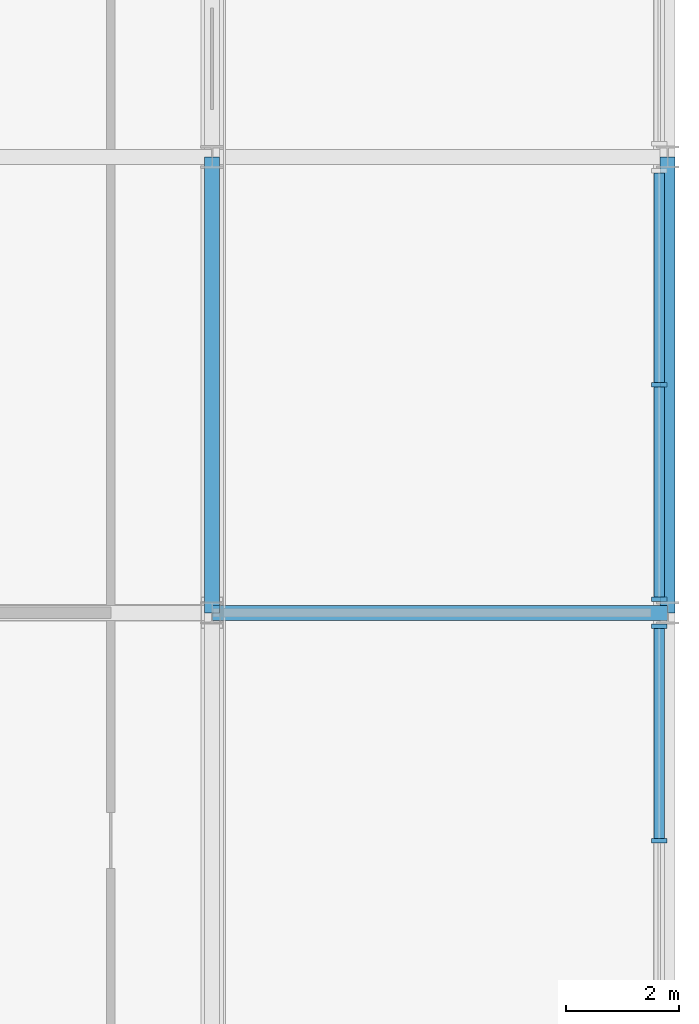
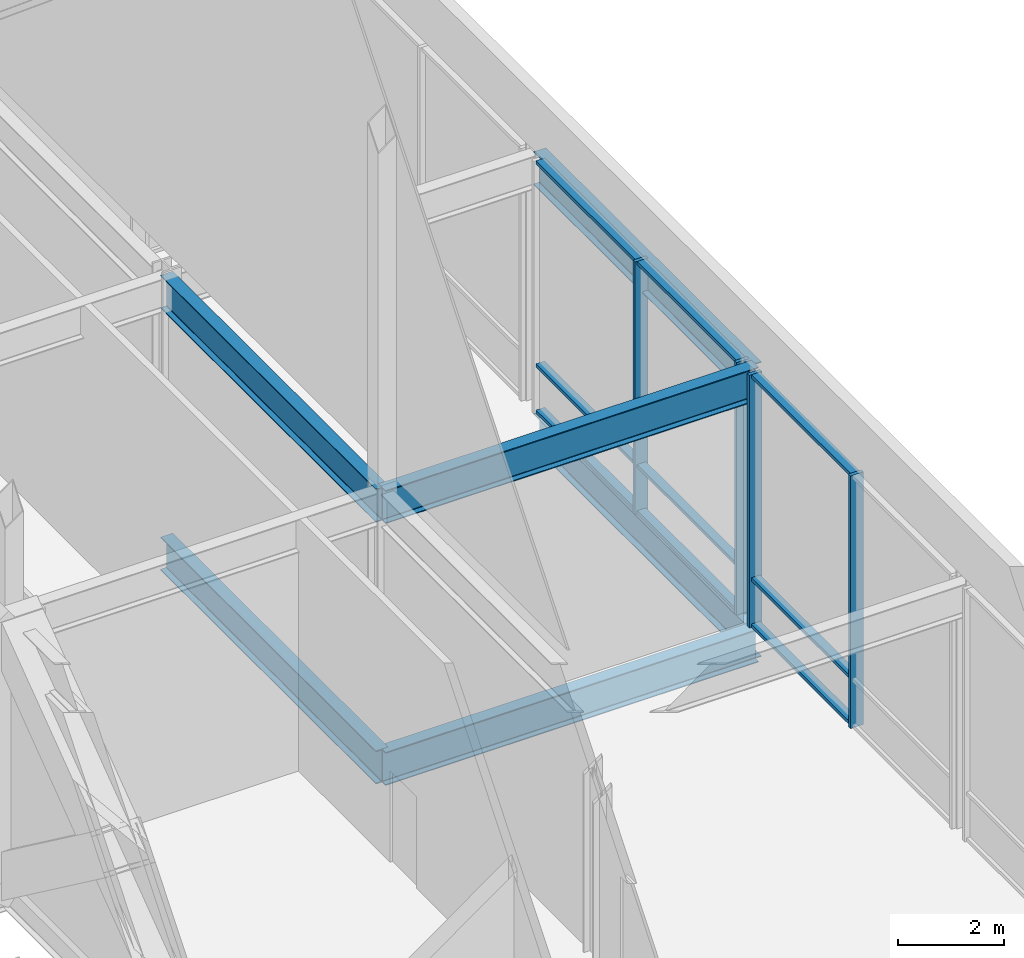
# One storey, part 9 of 22: 13 members, 6 beams, 2 elements without a shape of their own.
"""IFC4 building model written with IfcOpenShell, lengths in metres."""

import ifcopenshell
import ifcopenshell.guid

model = None  # the IFC model being written
_history = None  # IfcOwnerHistory: only IFC2X3 demands one
_inside = {}  # id of a spatial element -> (the spatial element, [elements in it])
_under = {}  # id of a project, library or spatial element -> (it, [spatial elements below it])
_declared = {}  # id of a project -> (the project, [libraries it declares])
_typed = {}  # id of a type object -> (the type object, [elements of that type])
_made_of = {}  # id of a material, layer set ... -> (it, [elements and type objects made of it])


def new_model(schema):
    """Start an empty IFC model of exactly this schema.

    Asked for "IFC4X3", IfcOpenShell would pick the latest addendum, in which some entities
    have other attributes; the version numbers below select the first issue.
    IFC2X3 requires an IfcOwnerHistory on every rooted entity: one is made here for all.
    """
    global model, _history
    if schema == "IFC4X3":
        model = ifcopenshell.file(schema_version=(4, 3, 0, 0))
    else:
        model = ifcopenshell.file(schema=schema)
    _inside.clear()
    _under.clear()
    _declared.clear()
    _typed.clear()
    _made_of.clear()
    _history = None
    if model.schema == "IFC2X3":
        org = make("IfcOrganization", Name="unknown")
        user = make(
            "IfcPersonAndOrganization",
            ThePerson=make("IfcPerson", FamilyName="unknown"),
            TheOrganization=org,
        )
        app = make(
            "IfcApplication",
            ApplicationDeveloper=org,
            Version="unknown",
            ApplicationFullName="unknown",
            ApplicationIdentifier="unknown",
        )
        _history = make(
            "IfcOwnerHistory",
            OwningUser=user,
            OwningApplication=app,
            ChangeAction="ADDED",
            CreationDate=0,
        )
    return model


def make(cls, **values):
    """One entity of the class cls with the attributes given. An attribute that is None is left unset."""
    return model.create_entity(
        cls, **{name: value for name, value in values.items() if value is not None}
    )


def rooted(cls, **values):
    """An entity with a GlobalId (a new one), such as an element, a storey or a relation."""
    return make(cls, GlobalId=ifcopenshell.guid.new(), OwnerHistory=_history, **values)


def si_unit(unit_type, name, prefix=None):
    """IfcSIUnit, for example si_unit("LENGTHUNIT", "METRE", prefix="MILLI")."""
    return make("IfcSIUnit", UnitType=unit_type, Prefix=prefix, Name=name)


def assignment(units):
    """IfcUnitAssignment: the units of a project."""
    return None if units is None else make("IfcUnitAssignment", Units=units)


def point(xyz):
    """IfcCartesianPoint."""
    return None if xyz is None else make("IfcCartesianPoint", Coordinates=xyz)


def direction(xyz):
    """IfcDirection."""
    return None if xyz is None else make("IfcDirection", DirectionRatios=xyz)


def frame(location, z_axis=None, x_axis=None):
    """IfcAxis2Placement3D, a coordinate frame: its origin and axes. An axis left out is left unset."""
    return make(
        "IfcAxis2Placement3D",
        Location=point(location),
        Axis=direction(z_axis),
        RefDirection=direction(x_axis),
    )


def frame_2d(location, x_axis=None):
    """IfcAxis2Placement2D, a coordinate frame in the plane: its origin and x axis."""
    return make(
        "IfcAxis2Placement2D", Location=point(location), RefDirection=direction(x_axis)
    )


def origin():
    """The frame at (0, 0, 0) with its axes left unset."""
    return frame((0.0, 0.0, 0.0))


def origin_2d():
    """The frame at (0, 0) in the plane with its x axis left unset."""
    return frame_2d((0.0, 0.0))


def place(relative_to, where):
    """IfcLocalPlacement: puts the frame where relative to a parent placement (None: the world)."""
    return make(
        "IfcLocalPlacement", PlacementRelTo=relative_to, RelativePlacement=where
    )


def context(
    kind, dimensions, precision=None, world=None, true_north=None, identifier=None
):
    """IfcGeometricRepresentationContext, for example the 3D "Model" context."""
    return make(
        "IfcGeometricRepresentationContext",
        ContextIdentifier=identifier,
        ContextType=kind,
        CoordinateSpaceDimension=dimensions,
        Precision=precision,
        WorldCoordinateSystem=world,
        TrueNorth=true_north,
    )


def subcontext(parent, identifier, kind, view, scale=None):
    """IfcGeometricRepresentationSubContext, for example "Body" below "Model"."""
    return make(
        "IfcGeometricRepresentationSubContext",
        ContextIdentifier=identifier,
        ContextType=kind,
        ParentContext=parent,
        TargetScale=scale,
        TargetView=view,
    )


def project(units=None, contexts=None):
    """IfcProject with its units and contexts."""
    return rooted(
        "IfcProject",
        Name="project",
        RepresentationContexts=contexts,
        UnitsInContext=assignment(units),
    )


def spatial(cls, under=None, at=None, **own):
    """A site, building, storey or space (cls), placed at a placement, below another one or the project."""
    s = rooted(cls, ObjectPlacement=at, **own)
    if under is not None:
        _under.setdefault(under.id(), (under, []))[1].append(s)
    return s


def profile(cls, at=None, kind="AREA", **sizes):
    """A parametric profile (cls). Its sizes go by their IFC names, for example OverallWidth=200.0."""
    return make(cls, ProfileType=kind, Position=at, **sizes)


def rectangle(**sizes):
    """IfcRectangleProfileDef."""
    return profile("IfcRectangleProfileDef", **sizes)


def i_section(**sizes):
    """IfcIShapeProfileDef."""
    return profile("IfcIShapeProfileDef", **sizes)


def extrude(swept, where, along, depth):
    """IfcExtrudedAreaSolid: the profile swept, set in the frame where, extruded along a direction by depth."""
    return make(
        "IfcExtrudedAreaSolid",
        SweptArea=swept,
        Position=where,
        ExtrudedDirection=direction(along),
        Depth=depth,
    )


def shape(context_of_items, identifier, shape_type, items):
    """IfcShapeRepresentation: the items that make up one representation, for example the "Body"."""
    return make(
        "IfcShapeRepresentation",
        ContextOfItems=context_of_items,
        RepresentationIdentifier=identifier,
        RepresentationType=shape_type,
        Items=items,
    )


def material(Name=None, Category=None):
    """IfcMaterial."""
    return make("IfcMaterial", Name=Name, Category=Category)


def material_profile(
    of_material, cross_section, Name=None, Category=None, Priority=None
):
    """IfcMaterialProfile: a cross section and its material."""
    return make(
        "IfcMaterialProfile",
        Name=Name,
        Material=of_material,
        Profile=cross_section,
        Priority=Priority,
        Category=Category,
    )


def profile_set(profiles, Name=None, composite=None):
    """IfcMaterialProfileSet."""
    return make(
        "IfcMaterialProfileSet",
        Name=Name,
        MaterialProfiles=profiles,
        CompositeProfile=composite,
    )


def made_of(thing, what):
    """Note that an element or type object is made of a material, layer set ...; save() writes the relation."""
    if what is not None:
        _made_of.setdefault(what.id(), (what, []))[1].append(thing)
    return thing


def type_object(cls, material=None, **own):
    """A type object (cls), such as IfcWallType, which elements share."""
    return made_of(rooted(cls, **own), material)


def element(
    cls,
    number,
    at=None,
    inside=None,
    cuts=None,
    type_object=None,
    material=None,
    context=None,
    identifier="Body",
    shape_type=None,
    held_by="IfcProductDefinitionShape",
    body=None,
    shapes=None,
    **own,
):
    """One element of the class cls, such as IfcWall. Its Tag is "e" and its number.

    at: its placement. inside: the storey or other place that contains it. cuts: it is an
    opening in that element (IfcRelVoidsElement). A single representation is given by context,
    identifier, shape_type and body (its items); several are given by shapes. held_by: the class
    of the entity that holds the representations. save() writes the other relations.
    """
    e = rooted(cls, Tag="e%d" % number, ObjectPlacement=at, **own)
    if body is not None:
        shapes = [shape(context, identifier, shape_type, body)]
    if shapes is not None:
        e.Representation = make(held_by, Representations=shapes)
    if inside is not None:
        _inside.setdefault(inside.id(), (inside, []))[1].append(e)
    if cuts is not None:
        rooted(
            "IfcRelVoidsElement", RelatingBuildingElement=cuts, RelatedOpeningElement=e
        )
    if type_object is not None:
        _typed.setdefault(type_object.id(), (type_object, []))[1].append(e)
    return made_of(e, material)


def aggregate(whole, parts):
    """IfcRelAggregates: a whole, such as a stair, and the parts it consists of."""
    return rooted("IfcRelAggregates", RelatingObject=whole, RelatedObjects=parts)


def save(model, path):
    """Write the relations noted so far, then the file.

    IfcRelAggregates (storeys below a building ...), IfcRelContainedInSpatialStructure (elements
    in a storey), IfcRelDefinesByType, IfcRelAssociatesMaterial and IfcRelDeclares: one each for
    every whole, place, type object, material and project.
    """
    for whole, parts in _under.values():
        aggregate(whole, parts)
    for where, things in _inside.values():
        rooted(
            "IfcRelContainedInSpatialStructure",
            RelatedElements=things,
            RelatingStructure=where,
        )
    for kind, things in _typed.values():
        rooted("IfcRelDefinesByType", RelatedObjects=things, RelatingType=kind)
    for what, things in _made_of.values():
        rooted("IfcRelAssociatesMaterial", RelatedObjects=things, RelatingMaterial=what)
    for by, libraries in _declared.values():
        rooted("IfcRelDeclares", RelatingContext=by, RelatedDefinitions=libraries)
    model.write(path)


model = new_model("IFC4")

# Units and contexts
model_context = context("Model", 3, precision=1e-05, world=origin(), true_north=direction((0.0, 1.0)))
body_context = subcontext(model_context, "Body", "Model", "MODEL_VIEW")
ifc_project = project(units=[si_unit("LENGTHUNIT", "METRE"), si_unit("AREAUNIT", "SQUARE_METRE"), si_unit("VOLUMEUNIT", "CUBIC_METRE"), si_unit("PLANEANGLEUNIT", "RADIAN"), si_unit("MASSUNIT", "GRAM", prefix="KILO")], contexts=[model_context])

# Site, building, storey
site_placement = place(None, origin())
site = spatial("IfcSite", under=ifc_project, at=site_placement, CompositionType="ELEMENT")
building_placement = place(site_placement, origin())
building = spatial("IfcBuilding", under=site, at=building_placement, Name="Kopane Lantern Tower", CompositionType="ELEMENT")
storey_placement = place(building_placement, frame((0.0, 0.0, 303.89990234375)))
storey = spatial("IfcBuildingStorey", under=building, at=storey_placement, Name="L77", CompositionType="ELEMENT", Elevation=303.89990234375)

# Beams
ifc_material_1 = material(Name="Steel S355JR", Category="steel")
ifc_material_profile_1 = material_profile(ifc_material_1, i_section(OverallWidth=0.2666015625, OverallDepth=0.76220703125, WebThickness=0.014404296875, FlangeThickness=0.021484375, FilletRadius=0.0166015625, at=origin_2d()), Name="UB 762x267x173")
ifc_profile_set_1 = profile_set([ifc_material_profile_1], Name="Steel S355JR")
beam_type_1 = type_object("IfcBeamType", Name="GIRDER UB 762x267x173", PredefinedType="BEAM", material=ifc_profile_set_1)
beam_1_placement = place(storey_placement, frame((48.60009765625, 40.5, -0.591064453125), z_axis=(0.0, 1.0, 0.0), x_axis=(-1.0, 0.0, 0.0)))
element("IfcBeam", 1, at=beam_1_placement, inside=storey, type_object=beam_type_1, Name="Girder L77", PredefinedType="BEAM", context=body_context, shape_type="SweptSolid", body=[
    extrude(i_section(OverallWidth=0.2666015625, OverallDepth=0.76220703125, WebThickness=0.014404296875, FlangeThickness=0.021484375, FilletRadius=0.0166015625, at=origin_2d()), origin(), (0.0, 0.0, 1.0), 8.10009765625),
])
beam_2_placement = place(storey_placement, frame((48.60009765625, 40.5, -0.591064453125), z_axis=(1.0, 0.0, 0.0), x_axis=(0.0, 1.0, 0.0)))
element("IfcBeam", 2, at=beam_2_placement, inside=storey, type_object=beam_type_1, Name="Girder L77", PredefinedType="BEAM", context=body_context, shape_type="SweptSolid", body=[
    extrude(i_section(OverallWidth=0.2666015625, OverallDepth=0.76220703125, WebThickness=0.014404296875, FlangeThickness=0.021484375, FilletRadius=0.0166015625, at=origin_2d()), origin(), (0.0, 0.0, 1.0), 8.099853515625),
])
beam_3_placement = place(storey_placement, frame((56.699951171875, 40.5, -0.591064453125), z_axis=(0.0, 1.0, 0.0), x_axis=(-1.0, 0.0, 0.0)))
element("IfcBeam", 3, at=beam_3_placement, inside=storey, type_object=beam_type_1, Name="Girder L77", PredefinedType="BEAM", context=body_context, shape_type="SweptSolid", body=[
    extrude(i_section(OverallWidth=0.2666015625, OverallDepth=0.76220703125, WebThickness=0.014404296875, FlangeThickness=0.021484375, FilletRadius=0.0166015625, at=origin_2d()), origin(), (0.0, 0.0, 1.0), 8.10009765625),
])

# Curtain wall, members
ifc_material_2 = material(Name="Aluminium and clear glass", Category="aluminium")
curtain_wall_type = type_object("IfcCurtainWallType", Name="CURTAIN WALL CW6 LANTERN CROWN", PredefinedType="USERDEFINED", material=ifc_material_2)
curtain_wall_1_placement = place(storey_placement, origin())
curtain_wall_1 = element("IfcCurtainWall", 4, at=curtain_wall_1_placement, inside=storey, type_object=curtain_wall_type, Name="Curtain wall CW6 E L77", ObjectType="CURTAIN WALL", PredefinedType="USERDEFINED")
ifc_material_3 = material(Name="Aluminium", Category="aluminium")
ifc_material_profile_2 = material_profile(ifc_material_3, rectangle(XDim=0.080078125, YDim=0.280029296875, at=origin_2d()), Name="AL 80x280")
ifc_profile_set_2 = profile_set([ifc_material_profile_2], Name="Aluminium")
member_type_1 = type_object("IfcMemberType", Name="MULLION CW6-M 80x280", PredefinedType="MULLION", material=ifc_profile_set_2)
member_1_placement = place(storey_placement, frame((56.550048828125, 36.449951171875, 0.0), z_axis=(0.0, 0.0, 1.0), x_axis=(0.0, 1.0, 0.0)))
member_1 = element("IfcMember", 5, at=member_1_placement, type_object=member_type_1, Name="CW6 mullion 2", PredefinedType="MULLION", context=body_context, shape_type="SweptSolid", body=[
    extrude(rectangle(XDim=0.080078125, YDim=0.280029296875, at=origin_2d()), origin(), (0.0, 0.0, 1.0), 5.800048828125),
])
member_2_placement = place(storey_placement, frame((56.550048828125, 40.25830078125, 0.0), z_axis=(0.0, 0.0, 1.0), x_axis=(0.0, 1.0, 0.0)))
member_2 = element("IfcMember", 6, at=member_2_placement, type_object=member_type_1, Name="CW6 mullion 3", PredefinedType="MULLION", context=body_context, shape_type="SweptSolid", body=[
    extrude(rectangle(XDim=0.080078125, YDim=0.280029296875, at=origin_2d()), origin(), (0.0, 0.0, 1.0), 5.800048828125),
])

curtain_wall_2_placement = place(storey_placement, origin())
curtain_wall_2 = element("IfcCurtainWall", 7, at=curtain_wall_2_placement, inside=storey, type_object=curtain_wall_type, Name="Curtain wall CW6 E L77", ObjectType="CURTAIN WALL", PredefinedType="USERDEFINED")
member_3_placement = place(storey_placement, frame((56.550048828125, 40.74169921875, 0.0), z_axis=(0.0, 0.0, 1.0), x_axis=(0.0, 1.0, 0.0)))
member_3 = element("IfcMember", 8, at=member_3_placement, type_object=member_type_1, Name="CW6 mullion 1", PredefinedType="MULLION", context=body_context, shape_type="SweptSolid", body=[
    extrude(rectangle(XDim=0.080078125, YDim=0.280029296875, at=origin_2d()), origin(), (0.0, 0.0, 1.0), 5.800048828125),
])
member_4_placement = place(storey_placement, frame((56.550048828125, 44.550048828125, 0.0), z_axis=(0.0, 0.0, 1.0), x_axis=(0.0, 1.0, 0.0)))
member_4 = element("IfcMember", 9, at=member_4_placement, type_object=member_type_1, Name="CW6 mullion 2", PredefinedType="MULLION", context=body_context, shape_type="SweptSolid", body=[
    extrude(rectangle(XDim=0.080078125, YDim=0.280029296875, at=origin_2d()), origin(), (0.0, 0.0, 1.0), 5.800048828125),
])

# Beams
ifc_material_4 = material(Name="Steel S355JR", Category="steel")
ifc_material_profile_3 = material_profile(ifc_material_4, i_section(OverallWidth=0.2666015625, OverallDepth=0.76220703125, WebThickness=0.014404296875, FlangeThickness=0.021484375, FilletRadius=0.0166015625, at=origin_2d()), Name="UB 762x267x173")
ifc_profile_set_3 = profile_set([ifc_material_profile_3], Name="Steel S355JR")
beam_type_2 = type_object("IfcBeamType", Name="ROOF GIRDER UB 762x267x173", PredefinedType="BEAM", material=ifc_profile_set_3)
for number, where, z_axis, x_axis, name in (
    (10, (48.60009765625, 40.5, 5.4189453125), (0.0, 1.0, 0.0), (-1.0, 0.0, 0.0), "Roof Girder roof"),
    (11, (56.699951171875, 40.5, 5.4189453125), (0.0, 1.0, 0.0), (-1.0, 0.0, 0.0), "Roof Girder roof"),
):
    element("IfcBeam", number, at=place(storey_placement, frame(where, z_axis=z_axis, x_axis=x_axis)), inside=storey, type_object=beam_type_2, Name=name, PredefinedType="BEAM", context=body_context, shape_type="SweptSolid", body=[
        extrude(i_section(OverallWidth=0.2666015625, OverallDepth=0.76220703125, WebThickness=0.014404296875, FlangeThickness=0.021484375, FilletRadius=0.0166015625, at=origin_2d()), origin(), (0.0, 0.0, 1.0), 8.10009765625),
    ])
beam_4_placement = place(storey_placement, frame((48.60009765625, 40.5, 5.4189453125), z_axis=(1.0, 0.0, 0.0), x_axis=(0.0, 1.0, 0.0)))
element("IfcBeam", 12, at=beam_4_placement, inside=storey, type_object=beam_type_2, Name="Roof Girder roof", PredefinedType="BEAM", context=body_context, shape_type="SweptSolid", body=[
    extrude(i_section(OverallWidth=0.2666015625, OverallDepth=0.76220703125, WebThickness=0.014404296875, FlangeThickness=0.021484375, FilletRadius=0.0166015625, at=origin_2d()), origin(), (0.0, 0.0, 1.0), 8.099853515625),
])

# Member
ifc_material_5 = material(Name="Aluminium", Category="aluminium")
ifc_material_profile_4 = material_profile(ifc_material_5, rectangle(XDim=0.18994140625, YDim=0.080078125, at=origin_2d()), Name="AL 190x80")
ifc_profile_set_4 = profile_set([ifc_material_profile_4], Name="Aluminium")
member_type_2 = type_object("IfcMemberType", Name="TRANSOM CW6-T 80x190", PredefinedType="USERDEFINED", material=ifc_profile_set_4)
member_5_placement = place(storey_placement, frame((56.550048828125, 36.489990234375, 0.0400390625), z_axis=(0.0, 1.0, 0.0), x_axis=(-1.0, 0.0, 0.0)))
member_5 = element("IfcMember", 13, at=member_5_placement, type_object=member_type_2, Name="CW6 transom 2.1", ObjectType="TRANSOM", PredefinedType="USERDEFINED", context=body_context, shape_type="SweptSolid", body=[
    extrude(rectangle(XDim=0.18994140625, YDim=0.080078125, at=origin_2d()), origin(), (0.0, 0.0, 1.0), 3.728271484375),
])

member_6_placement = place(storey_placement, frame((56.550048828125, 36.489990234375, 1.10009765625), z_axis=(0.0, 1.0, 0.0), x_axis=(-1.0, 0.0, 0.0)))
member_6 = element("IfcMember", 14, at=member_6_placement, type_object=member_type_2, Name="CW6 transom 2.2", ObjectType="TRANSOM", PredefinedType="USERDEFINED", context=body_context, shape_type="SweptSolid", body=[
    extrude(rectangle(XDim=0.18994140625, YDim=0.080078125, at=origin_2d()), origin(), (0.0, 0.0, 1.0), 3.728271484375),
])

member_7_placement = place(storey_placement, frame((56.550048828125, 36.489990234375, 5.760009765625), z_axis=(0.0, 1.0, 0.0), x_axis=(-1.0, 0.0, 0.0)))
member_7 = element("IfcMember", 15, at=member_7_placement, type_object=member_type_2, Name="CW6 transom 2.3", ObjectType="TRANSOM", PredefinedType="USERDEFINED", context=body_context, shape_type="SweptSolid", body=[
    extrude(rectangle(XDim=0.18994140625, YDim=0.080078125, at=origin_2d()), origin(), (0.0, 0.0, 1.0), 3.728271484375),
])

aggregate(curtain_wall_1, [member_1, member_2, member_5, member_6, member_7])

member_8_placement = place(storey_placement, frame((56.550048828125, 40.78173828125, 0.0400390625), z_axis=(0.0, 1.0, 0.0), x_axis=(-1.0, 0.0, 0.0)))
member_8 = element("IfcMember", 16, at=member_8_placement, type_object=member_type_2, Name="CW6 transom 1.1", ObjectType="TRANSOM", PredefinedType="USERDEFINED", context=body_context, shape_type="SweptSolid", body=[
    extrude(rectangle(XDim=0.18994140625, YDim=0.080078125, at=origin_2d()), origin(), (0.0, 0.0, 1.0), 3.728271484375),
])

member_9_placement = place(storey_placement, frame((56.550048828125, 40.78173828125, 1.10009765625), z_axis=(0.0, 1.0, 0.0), x_axis=(-1.0, 0.0, 0.0)))
member_9 = element("IfcMember", 17, at=member_9_placement, type_object=member_type_2, Name="CW6 transom 1.2", ObjectType="TRANSOM", PredefinedType="USERDEFINED", context=body_context, shape_type="SweptSolid", body=[
    extrude(rectangle(XDim=0.18994140625, YDim=0.080078125, at=origin_2d()), origin(), (0.0, 0.0, 1.0), 3.728271484375),
])

member_10_placement = place(storey_placement, frame((56.550048828125, 40.78173828125, 5.760009765625), z_axis=(0.0, 1.0, 0.0), x_axis=(-1.0, 0.0, 0.0)))
member_10 = element("IfcMember", 18, at=member_10_placement, type_object=member_type_2, Name="CW6 transom 1.3", ObjectType="TRANSOM", PredefinedType="USERDEFINED", context=body_context, shape_type="SweptSolid", body=[
    extrude(rectangle(XDim=0.18994140625, YDim=0.080078125, at=origin_2d()), origin(), (0.0, 0.0, 1.0), 3.728271484375),
])

member_11_placement = place(storey_placement, frame((56.550048828125, 44.590087890625, 0.0400390625), z_axis=(0.0, 1.0, 0.0), x_axis=(-1.0, 0.0, 0.0)))
member_11 = element("IfcMember", 19, at=member_11_placement, type_object=member_type_2, Name="CW6 transom 2.1", ObjectType="TRANSOM", PredefinedType="USERDEFINED", context=body_context, shape_type="SweptSolid", body=[
    extrude(rectangle(XDim=0.18994140625, YDim=0.080078125, at=origin_2d()), origin(), (0.0, 0.0, 1.0), 3.72802734375),
])

member_12_placement = place(storey_placement, frame((56.550048828125, 44.590087890625, 1.10009765625), z_axis=(0.0, 1.0, 0.0), x_axis=(-1.0, 0.0, 0.0)))
member_12 = element("IfcMember", 20, at=member_12_placement, type_object=member_type_2, Name="CW6 transom 2.2", ObjectType="TRANSOM", PredefinedType="USERDEFINED", context=body_context, shape_type="SweptSolid", body=[
    extrude(rectangle(XDim=0.18994140625, YDim=0.080078125, at=origin_2d()), origin(), (0.0, 0.0, 1.0), 3.72802734375),
])

member_13_placement = place(storey_placement, frame((56.550048828125, 44.590087890625, 5.760009765625), z_axis=(0.0, 1.0, 0.0), x_axis=(-1.0, 0.0, 0.0)))
member_13 = element("IfcMember", 21, at=member_13_placement, type_object=member_type_2, Name="CW6 transom 2.3", ObjectType="TRANSOM", PredefinedType="USERDEFINED", context=body_context, shape_type="SweptSolid", body=[
    extrude(rectangle(XDim=0.18994140625, YDim=0.080078125, at=origin_2d()), origin(), (0.0, 0.0, 1.0), 3.72802734375),
])

aggregate(curtain_wall_2, [member_3, member_4, member_8, member_9, member_10, member_11, member_12, member_13])

save(model, "model.ifc")
